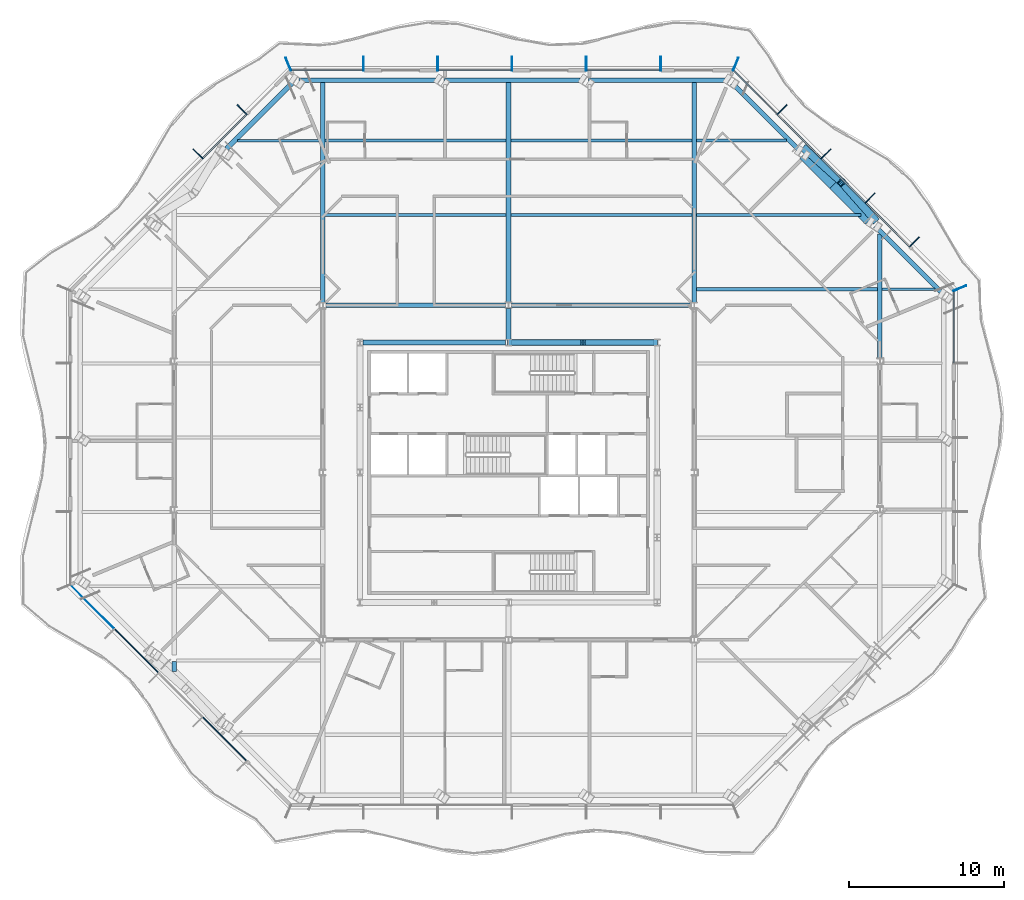
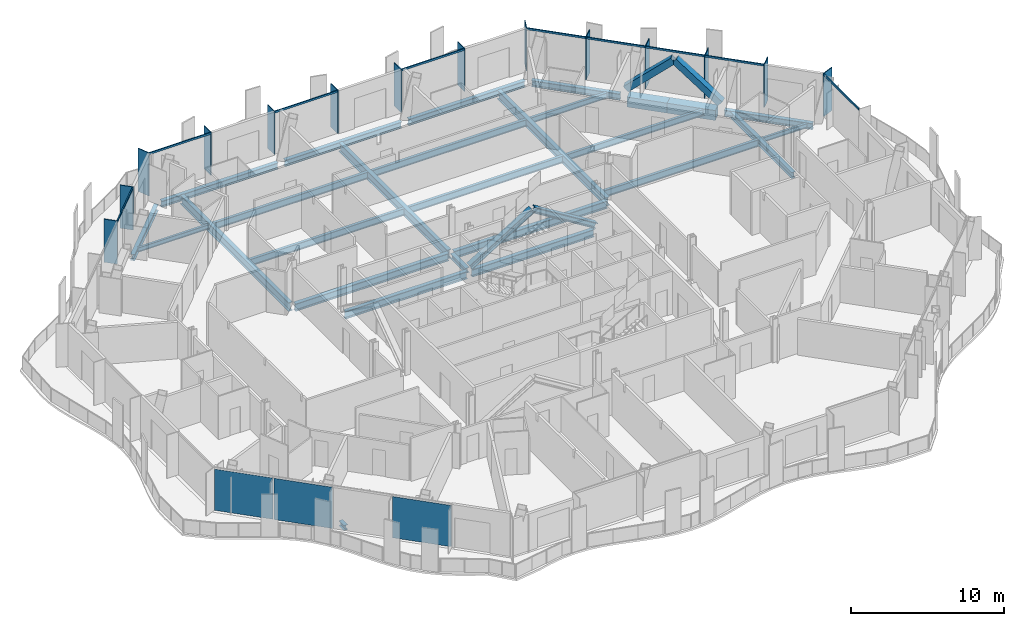
# One storey, part 5 of 22: 27 beams, 27 members, 3 plates, 5 elements without a shape of their own.
"""IFC4 building model written with IfcOpenShell, lengths in metres."""

from ifc_helpers import new_model, si_unit, direction, frame, origin, origin_2d, place, context, subcontext, project, spatial, rectangle, hollow_rectangle, i_section, extrude, material, layer, layer_set, material_profile, profile_set, type_object, element, aggregate, save


model = new_model("IFC4")

# Units and contexts
model_context = context("Model", 3, precision=1e-05, world=origin(), true_north=direction((0.0, 1.0)))
body_context = subcontext(model_context, "Body", "Model", "MODEL_VIEW")
ifc_project = project(units=[si_unit("LENGTHUNIT", "METRE"), si_unit("AREAUNIT", "SQUARE_METRE"), si_unit("VOLUMEUNIT", "CUBIC_METRE"), si_unit("PLANEANGLEUNIT", "RADIAN"), si_unit("MASSUNIT", "GRAM", prefix="KILO")], contexts=[model_context])

# Site, building, storey
site_placement = place(None, origin())
site = spatial("IfcSite", under=ifc_project, at=site_placement, CompositionType="ELEMENT")
building_placement = place(site_placement, origin())
building = spatial("IfcBuilding", under=site, at=building_placement, Name="Cairn Pilgrim Tower", CompositionType="ELEMENT")
storey_placement = place(building_placement, frame((0.0, 0.0, 175.800048828125)))
storey = spatial("IfcBuildingStorey", under=building, at=storey_placement, Name="L44", CompositionType="ELEMENT", Elevation=175.800048828125)

# Members
ifc_material_1 = material(Name="Structural steel S460M", Category="steel")
ifc_material_profile_1 = material_profile(ifc_material_1, hollow_rectangle(XDim=0.5, YDim=0.5, WallThickness=0.030029296875, at=origin_2d()), Name="BOX 500x500x30")
ifc_profile_set_1 = profile_set([ifc_material_profile_1], Name="Structural steel S460M")
member_type_1 = type_object("IfcMemberType", Name="BOX 500x500x30 BRACE", PredefinedType="BRACE", material=ifc_profile_set_1)
member_1_placement = place(storey_placement, frame((30.869873046875, 18.739990234375, 0.148681640625), z_axis=(-0.502668931325, 0.570149875271, 0.649810022398), x_axis=(-0.750101801739, -0.661322377535, 0.0)))
element("IfcMember", 1, at=member_1_placement, inside=storey, type_object=member_type_1, Name="XB-NE2-NE3-1", PredefinedType="BRACE", context=body_context, shape_type="SweptSolid", body=[
    extrude(hollow_rectangle(XDim=0.5, YDim=0.5, WallThickness=0.030029296875, at=origin_2d()), origin(), (0.0, 0.0, 1.0), 4.189453125),
])
member_2_placement = place(storey_placement, frame((26.341552734375, 23.305908203125, 0.14990234375), z_axis=(0.565178522574, -0.506586888657, 0.651109024559), x_axis=(0.667453787387, 0.744651221514, 0.0)))
element("IfcMember", 2, at=member_2_placement, inside=storey, type_object=member_type_1, Name="XB-NE2-NE3-2", PredefinedType="BRACE", context=body_context, shape_type="SweptSolid", body=[
    extrude(hollow_rectangle(XDim=0.5, YDim=0.5, WallThickness=0.030029296875, at=origin_2d()), origin(), (0.0, 0.0, 1.0), 4.17919921875),
])

# Beams
ifc_material_2 = material(Name="Structural steel S355J2", Category="steel")
ifc_material_profile_2 = material_profile(ifc_material_2, hollow_rectangle(XDim=0.699951171875, YDim=0.800048828125, WallThickness=0.0400390625, at=origin_2d()), Name="BOX 700x800x40")
ifc_profile_set_2 = profile_set([ifc_material_profile_2], Name="Structural steel S355J2")
beam_type_1 = type_object("IfcBeamType", Name="BOX 700x800x40 RING GIRDER", PredefinedType="SPANDREL", material=ifc_profile_set_2)
beam_1_placement = place(storey_placement, frame((30.509765625, 18.6923828125, -0.550048828125), z_axis=(-0.707069392857, 0.707144167539, 0.0), x_axis=(-0.707144167539, -0.707069392857, 0.0)))
element("IfcBeam", 3, at=beam_1_placement, inside=storey, type_object=beam_type_1, Name="RG2-NE2-NE3-1", PredefinedType="SPANDREL", context=body_context, shape_type="SweptSolid", body=[
    extrude(hollow_rectangle(XDim=0.699951171875, YDim=0.800048828125, WallThickness=0.0400390625, at=origin_2d()), origin(), (0.0, 0.0, 1.0), 3.26513671875),
])
beam_2_placement = place(storey_placement, frame((28.201171875, 21.001220703125, -0.550048828125), z_axis=(-0.707151417539, 0.707062142016, 0.0), x_axis=(-0.707062142016, -0.707151417539, 0.0)))
element("IfcBeam", 4, at=beam_2_placement, inside=storey, type_object=beam_type_1, Name="RG2-NE2-NE3-2", PredefinedType="SPANDREL", context=body_context, shape_type="SweptSolid", body=[
    extrude(hollow_rectangle(XDim=0.699951171875, YDim=0.800048828125, WallThickness=0.0400390625, at=origin_2d()), origin(), (0.0, 0.0, 1.0), 2.734619140625),
])

# Curtain wall, members
ifc_material_3 = material(Name="Aluminium alloy 6063-T6 bronze anodised with Bronze tinted laminated low-E glass 8+16+8.8", Category="aluminium")
curtain_wall_type_1 = type_object("IfcCurtainWallType", Name="CHAMFER CORNER CURTAIN WALL", PredefinedType="NOTDEFINED", material=ifc_material_3)
curtain_wall_1_placement = place(storey_placement, origin())
curtain_wall_1 = element("IfcCurtainWall", 5, at=curtain_wall_1_placement, inside=storey, type_object=curtain_wall_type_1, Name="Chamfer Corner Curtain Wall NE", PredefinedType="NOTDEFINED")
ifc_material_4 = material(Name="Aluminium alloy 6063-T6 bronze anodised", Category="aluminium")
ifc_material_profile_3 = material_profile(ifc_material_4, rectangle(XDim=0.89990234375, YDim=0.06005859375, at=origin_2d()), Name="FIN MULLION 60x900 BRONZE")
ifc_profile_set_3 = profile_set([ifc_material_profile_3], Name="Aluminium alloy 6063-T6 bronze anodised")
member_type_2 = type_object("IfcMemberType", Name="FIN MULLION 60x900 BRONZE", PredefinedType="MULLION", material=ifc_profile_set_3)
member_3_placement = place(storey_placement, frame((36.363037109375, 14.30712890625, 0.0), z_axis=(0.0, 0.0, 1.0), x_axis=(0.923879532511, 0.382683432365, 0.0)))
member_3 = element("IfcMember", 6, at=member_3_placement, type_object=member_type_2, Name="Fin mullion NE1", PredefinedType="MULLION", context=body_context, shape_type="SweptSolid", body=[
    extrude(rectangle(XDim=0.89990234375, YDim=0.06005859375, at=origin_2d()), origin(), (0.0, 0.0, 1.0), 3.449951171875),
])
member_4_placement = place(storey_placement, frame((33.42138671875, 17.294189453125, 0.0), z_axis=(0.0, 0.0, 1.0), x_axis=(0.707106781187, 0.707106781187, 0.0)))
member_4 = element("IfcMember", 7, at=member_4_placement, type_object=member_type_2, Name="Fin mullion NE2", PredefinedType="MULLION", context=body_context, shape_type="SweptSolid", body=[
    extrude(rectangle(XDim=0.89990234375, YDim=0.06005859375, at=origin_2d()), origin(), (0.0, 0.0, 1.0), 3.449951171875),
])
member_5_placement = place(storey_placement, frame((30.570556640625, 20.144775390625, 0.0), z_axis=(0.0, 0.0, 1.0), x_axis=(0.707106781187, 0.707106781187, 0.0)))
member_5 = element("IfcMember", 8, at=member_5_placement, type_object=member_type_2, Name="Fin mullion NE3", PredefinedType="MULLION", context=body_context, shape_type="SweptSolid", body=[
    extrude(rectangle(XDim=0.89990234375, YDim=0.06005859375, at=origin_2d()), origin(), (0.0, 0.0, 1.0), 3.449951171875),
])
member_6_placement = place(storey_placement, frame((27.719970703125, 22.99560546875, 0.0), z_axis=(0.0, 0.0, 1.0), x_axis=(0.707106781187, 0.707106781187, 0.0)))
member_6 = element("IfcMember", 9, at=member_6_placement, type_object=member_type_2, Name="Fin mullion NE4", PredefinedType="MULLION", context=body_context, shape_type="SweptSolid", body=[
    extrude(rectangle(XDim=0.89990234375, YDim=0.06005859375, at=origin_2d()), origin(), (0.0, 0.0, 1.0), 3.449951171875),
])
member_7_placement = place(storey_placement, frame((24.869140625, 25.84619140625, 0.0), z_axis=(0.0, 0.0, 1.0), x_axis=(0.707106781187, 0.707106781187, 0.0)))
member_7 = element("IfcMember", 10, at=member_7_placement, type_object=member_type_2, Name="Fin mullion NE5", PredefinedType="MULLION", context=body_context, shape_type="SweptSolid", body=[
    extrude(rectangle(XDim=0.89990234375, YDim=0.06005859375, at=origin_2d()), origin(), (0.0, 0.0, 1.0), 3.449951171875),
])

curtain_wall_type_2 = type_object("IfcCurtainWallType", Name="TOWER STICK CURTAIN WALL NS", PredefinedType="NOTDEFINED", material=ifc_material_3)
curtain_wall_2_placement = place(storey_placement, origin())
curtain_wall_2 = element("IfcCurtainWall", 11, at=curtain_wall_2_placement, inside=storey, type_object=curtain_wall_type_2, Name="Tower Stick Curtain Wall Ns N", PredefinedType="NOTDEFINED")
member_8_placement = place(storey_placement, frame((21.882080078125, 28.7880859375, 0.0), z_axis=(0.0, 0.0, 1.0), x_axis=(0.382683432365, 0.923879532511, 0.0)))
member_8 = element("IfcMember", 12, at=member_8_placement, type_object=member_type_2, Name="Fin mullion N1", PredefinedType="MULLION", context=body_context, shape_type="SweptSolid", body=[
    extrude(rectangle(XDim=0.89990234375, YDim=0.06005859375, at=origin_2d()), origin(), (0.0, 0.0, 1.0), 3.449951171875),
])
member_9_placement = place(storey_placement, frame((17.02490234375, 28.820068359375, 0.0), z_axis=(0.0, 0.0, 1.0), x_axis=(0.0, 1.0, 0.0)))
member_9 = element("IfcMember", 13, at=member_9_placement, type_object=member_type_2, Name="Fin mullion N2", PredefinedType="MULLION", context=body_context, shape_type="SweptSolid", body=[
    extrude(rectangle(XDim=0.89990234375, YDim=0.06005859375, at=origin_2d()), origin(), (0.0, 0.0, 1.0), 3.449951171875),
])
member_10_placement = place(storey_placement, frame((12.22509765625, 28.820068359375, 0.0), z_axis=(0.0, 0.0, 1.0), x_axis=(0.0, 1.0, 0.0)))
member_10 = element("IfcMember", 14, at=member_10_placement, type_object=member_type_2, Name="Fin mullion N3", PredefinedType="MULLION", context=body_context, shape_type="SweptSolid", body=[
    extrude(rectangle(XDim=0.89990234375, YDim=0.06005859375, at=origin_2d()), origin(), (0.0, 0.0, 1.0), 3.449951171875),
])
member_11_placement = place(storey_placement, frame((7.425048828125, 28.820068359375, 0.0), z_axis=(0.0, 0.0, 1.0), x_axis=(0.0, 1.0, 0.0)))
member_11 = element("IfcMember", 15, at=member_11_placement, type_object=member_type_2, Name="Fin mullion N4", PredefinedType="MULLION", context=body_context, shape_type="SweptSolid", body=[
    extrude(rectangle(XDim=0.89990234375, YDim=0.06005859375, at=origin_2d()), origin(), (0.0, 0.0, 1.0), 3.449951171875),
])
member_12_placement = place(storey_placement, frame((2.625, 28.820068359375, 0.0), z_axis=(0.0, 0.0, 1.0), x_axis=(0.0, 1.0, 0.0)))
member_12 = element("IfcMember", 16, at=member_12_placement, type_object=member_type_2, Name="Fin mullion N5", PredefinedType="MULLION", context=body_context, shape_type="SweptSolid", body=[
    extrude(rectangle(XDim=0.89990234375, YDim=0.06005859375, at=origin_2d()), origin(), (0.0, 0.0, 1.0), 3.449951171875),
])
member_13_placement = place(storey_placement, frame((-2.175048828125, 28.820068359375, 0.0), z_axis=(0.0, 0.0, 1.0), x_axis=(0.0, 1.0, 0.0)))
member_13 = element("IfcMember", 17, at=member_13_placement, type_object=member_type_2, Name="Fin mullion N6", PredefinedType="MULLION", context=body_context, shape_type="SweptSolid", body=[
    extrude(rectangle(XDim=0.89990234375, YDim=0.06005859375, at=origin_2d()), origin(), (0.0, 0.0, 1.0), 3.449951171875),
])

curtain_wall_3_placement = place(storey_placement, origin())
curtain_wall_3 = element("IfcCurtainWall", 18, at=curtain_wall_3_placement, inside=storey, type_object=curtain_wall_type_1, Name="Chamfer Corner Curtain Wall NW", PredefinedType="NOTDEFINED")
member_14_placement = place(storey_placement, frame((-7.0322265625, 28.7880859375, 0.0), z_axis=(0.0, 0.0, 1.0), x_axis=(-0.382683432365, 0.923879532511, 0.0)))
member_14 = element("IfcMember", 19, at=member_14_placement, type_object=member_type_2, Name="Fin mullion NW1", PredefinedType="MULLION", context=body_context, shape_type="SweptSolid", body=[
    extrude(rectangle(XDim=0.89990234375, YDim=0.06005859375, at=origin_2d()), origin(), (0.0, 0.0, 1.0), 3.449951171875),
])
member_15_placement = place(storey_placement, frame((-10.01904296875, 25.84619140625, 0.0), z_axis=(0.0, 0.0, 1.0), x_axis=(-0.707106781187, 0.707106781187, 0.0)))
member_15 = element("IfcMember", 20, at=member_15_placement, type_object=member_type_2, Name="Fin mullion NW2", PredefinedType="MULLION", context=body_context, shape_type="SweptSolid", body=[
    extrude(rectangle(XDim=0.89990234375, YDim=0.06005859375, at=origin_2d()), origin(), (0.0, 0.0, 1.0), 3.449951171875),
])
member_16_placement = place(storey_placement, frame((-12.869873046875, 22.99560546875, 0.0), z_axis=(0.0, 0.0, 1.0), x_axis=(-0.707106781187, 0.707106781187, 0.0)))
member_16 = element("IfcMember", 21, at=member_16_placement, type_object=member_type_2, Name="Fin mullion NW3", PredefinedType="MULLION", context=body_context, shape_type="SweptSolid", body=[
    extrude(rectangle(XDim=0.89990234375, YDim=0.06005859375, at=origin_2d()), origin(), (0.0, 0.0, 1.0), 3.449951171875),
])

# Members
ifc_material_profile_4 = material_profile(ifc_material_1, i_section(OverallWidth=0.408935546875, OverallDepth=0.425048828125, WebThickness=0.03271484375, FlangeThickness=0.052490234375, FilletRadius=0.014892578125, at=origin_2d()), Name="HD 400x421")
ifc_profile_set_4 = profile_set([ifc_material_profile_4], Name="Structural steel S460M")
member_type_3 = type_object("IfcMemberType", Name="HD 400x421 BRACE", PredefinedType="BRACE", material=ifc_profile_set_4)
for number, where, z_axis, x_axis, name in (
    (22, (16.75830078125, 10.800048828125, 0.099853515625), (-0.851099832195, 0.0, 0.525003881545), (0.0, -1.0, 0.0), "KB-3A"),
    (23, (7.24169921875, 10.800048828125, 0.099853515625), (0.851099832195, 0.0, 0.525003881545), (0.0, 1.0, 0.0), "KB-3B"),
):
    element("IfcMember", number, at=place(storey_placement, frame(where, z_axis=z_axis, x_axis=x_axis)), inside=storey, type_object=member_type_3, Name=name, PredefinedType="BRACE", context=body_context, shape_type="SweptSolid", body=[
        extrude(i_section(OverallWidth=0.408935546875, OverallDepth=0.425048828125, WebThickness=0.03271484375, FlangeThickness=0.052490234375, FilletRadius=0.014892578125, at=origin_2d()), origin(), (0.0, 0.0, 1.0), 5.5283203125),
    ])

# Beams
ifc_material_profile_5 = material_profile(ifc_material_2, i_section(OverallWidth=0.300048828125, OverallDepth=0.39990234375, WebThickness=0.013427734375, FlangeThickness=0.02392578125, FilletRadius=0.027099609375, at=origin_2d()), Name="HEB 400")
ifc_profile_set_5 = profile_set([ifc_material_profile_5], Name="Structural steel S355J2")
beam_type_2 = type_object("IfcBeamType", Name="HEB 400 GIRDER", PredefinedType="BEAM", material=ifc_profile_set_5)
beam_3_placement = place(storey_placement, frame((-14.39990234375, -10.47021484375, -0.35009765625), z_axis=(0.0, 1.0, 0.0), x_axis=(-1.0, 0.0, 0.0)))
element("IfcBeam", 24, at=beam_3_placement, inside=storey, type_object=beam_type_2, Name="PG1-E1", PredefinedType="BEAM", context=body_context, shape_type="SweptSolid", body=[
    extrude(i_section(OverallWidth=0.300048828125, OverallDepth=0.39990234375, WebThickness=0.013427734375, FlangeThickness=0.02392578125, FilletRadius=0.027099609375, at=origin_2d()), origin(), (0.0, 0.0, 1.0), 0.670654296875),
])
beam_4_placement = place(storey_placement, frame((7.199951171875, 11.008056640625, -0.35009765625), z_axis=(0.0, 1.0, 0.0), x_axis=(-1.0, 0.0, 0.0)))
element("IfcBeam", 25, at=beam_4_placement, inside=storey, type_object=beam_type_2, Name="PG3-E2", PredefinedType="BEAM", context=body_context, shape_type="SweptSolid", body=[
    extrude(i_section(OverallWidth=0.300048828125, OverallDepth=0.39990234375, WebThickness=0.013427734375, FlangeThickness=0.02392578125, FilletRadius=0.027099609375, at=origin_2d()), origin(), (0.0, 0.0, 1.0), 1.992431640625),
])
ifc_material_profile_6 = material_profile(ifc_material_2, i_section(OverallWidth=0.300048828125, OverallDepth=0.5, WebThickness=0.014404296875, FlangeThickness=0.028076171875, FilletRadius=0.027099609375, at=origin_2d()), Name="HEB 500")
ifc_profile_set_6 = profile_set([ifc_material_profile_6], Name="Structural steel S355J2")
beam_type_3 = type_object("IfcBeamType", Name="HEB 500 GIRDER", PredefinedType="BEAM", material=ifc_profile_set_6)
beam_5_placement = place(storey_placement, frame((31.199951171875, 9.804443359375, -0.400146484375), z_axis=(0.0, 1.0, 0.0), x_axis=(-1.0, 0.0, 0.0)))
element("IfcBeam", 26, at=beam_5_placement, inside=storey, type_object=beam_type_3, Name="PG5-3", PredefinedType="BEAM", context=body_context, shape_type="SweptSolid", body=[
    extrude(i_section(OverallWidth=0.300048828125, OverallDepth=0.5, WebThickness=0.014404296875, FlangeThickness=0.028076171875, FilletRadius=0.027099609375, at=origin_2d()), origin(), (0.0, 0.0, 1.0), 8.015625),
])
ifc_material_profile_7 = material_profile(ifc_material_2, i_section(OverallWidth=0.300048828125, OverallDepth=0.5, WebThickness=0.014404296875, FlangeThickness=0.028076171875, FilletRadius=0.027099609375, at=origin_2d()), Name="HEB 500")
ifc_profile_set_7 = profile_set([ifc_material_profile_7], Name="Structural steel S355J2")
beam_type_4 = type_object("IfcBeamType", Name="HEB 500 RING GIRDER", PredefinedType="SPANDREL", material=ifc_profile_set_7)
for number, where, z_axis, x_axis, name in (
    (27, (35.134033203125, 14.068115234375, -0.400146484375), (-0.707106781187, 0.707106781187, 0.0), (-0.707106781187, -0.707106781187, 0.0), "RG2-NE1-NE2"),
    (28, (25.885498046875, 23.316650390625, -0.400146484375), (-0.707106781187, 0.707106781187, 0.0), (-0.707106781187, -0.707106781187, 0.0), "RG2-NE3-N1"),
):
    element("IfcBeam", number, at=place(storey_placement, frame(where, z_axis=z_axis, x_axis=x_axis)), inside=storey, type_object=beam_type_4, Name=name, PredefinedType="SPANDREL", context=body_context, shape_type="SweptSolid", body=[
        extrude(i_section(OverallWidth=0.300048828125, OverallDepth=0.5, WebThickness=0.014404296875, FlangeThickness=0.028076171875, FilletRadius=0.027099609375, at=origin_2d()), origin(), (0.0, 0.0, 1.0), 5.999755859375),
    ])
for number, where, z_axis, x_axis, name in (
    (29, (21.18212890625, 27.75, -0.400146484375), (-1.0, 0.0, 0.0), (0.0, -1.0, 0.0), "RG2-N1-N2"),
    (30, (11.830810546875, 27.75, -0.400146484375), (-1.0, 0.0, 0.0), (0.0, -1.0, 0.0), "RG2-N2-N3"),
    (31, (2.479248046875, 27.75, -0.400146484375), (-1.0, 0.0, 0.0), (0.0, -1.0, 0.0), "RG2-N3-NW1"),
):
    element("IfcBeam", number, at=place(storey_placement, frame(where, z_axis=z_axis, x_axis=x_axis)), inside=storey, type_object=beam_type_4, Name=name, PredefinedType="SPANDREL", context=body_context, shape_type="SweptSolid", body=[
        extrude(i_section(OverallWidth=0.300048828125, OverallDepth=0.5, WebThickness=0.014404296875, FlangeThickness=0.028076171875, FilletRadius=0.027099609375, at=origin_2d()), origin(), (0.0, 0.0, 1.0), 8.8115234375),
    ])
beam_6_placement = place(storey_placement, frame((-6.793212890625, 27.55908203125, -0.400146484375), z_axis=(-0.707106781187, -0.707106781187, 0.0), x_axis=(0.707106781187, -0.707106781187, 0.0)))
element("IfcBeam", 32, at=beam_6_placement, inside=storey, type_object=beam_type_4, Name="RG2-NW1-NW2", PredefinedType="SPANDREL", context=body_context, shape_type="SweptSolid", body=[
    extrude(i_section(OverallWidth=0.300048828125, OverallDepth=0.5, WebThickness=0.014404296875, FlangeThickness=0.028076171875, FilletRadius=0.027099609375, at=origin_2d()), origin(), (0.0, 0.0, 1.0), 5.999755859375),
])
ifc_material_profile_8 = material_profile(ifc_material_2, i_section(OverallWidth=0.300048828125, OverallDepth=0.60009765625, WebThickness=0.015380859375, FlangeThickness=0.030029296875, FilletRadius=0.027099609375, at=origin_2d()), Name="HEB 600")
ifc_profile_set_8 = profile_set([ifc_material_profile_8], Name="Structural steel S355J2")
beam_type_5 = type_object("IfcBeamType", Name="HEB 600 CORE BEAM", PredefinedType="BEAM", material=ifc_profile_set_8)
for number, where, z_axis, x_axis, name in (
    (33, (16.61279296875, 10.800048828125, -0.449951171875), (-1.0, 0.0, 0.0), (0.0, -1.0, 0.0), "CB-5"),
    (34, (7.0126953125, 10.800048828125, -0.449951171875), (-1.0, 0.0, 0.0), (0.0, -1.0, 0.0), "CB-6"),
):
    element("IfcBeam", number, at=place(storey_placement, frame(where, z_axis=z_axis, x_axis=x_axis)), inside=storey, type_object=beam_type_5, Name=name, PredefinedType="BEAM", context=body_context, shape_type="SweptSolid", body=[
        extrude(i_section(OverallWidth=0.300048828125, OverallDepth=0.60009765625, WebThickness=0.015380859375, FlangeThickness=0.030029296875, FilletRadius=0.027099609375, at=origin_2d()), origin(), (0.0, 0.0, 1.0), 9.2255859375),
    ])
ifc_material_profile_9 = material_profile(ifc_material_2, i_section(OverallWidth=0.300048828125, OverallDepth=0.60009765625, WebThickness=0.015380859375, FlangeThickness=0.030029296875, FilletRadius=0.027099609375, at=origin_2d()), Name="HEB 600")
ifc_profile_set_9 = profile_set([ifc_material_profile_9], Name="Structural steel S355J2")
beam_type_6 = type_object("IfcBeamType", Name="HEB 600 INNER GIRDER", PredefinedType="BEAM", material=ifc_profile_set_9)
for number, where, z_axis, x_axis, name in (
    (35, (-4.6005859375, 13.199951171875, -0.449951171875), (1.0, 0.0, 0.0), (0.0, 1.0, 0.0), "IG2-1"),
    (36, (7.3994140625, 13.199951171875, -0.449951171875), (1.0, 0.0, 0.0), (0.0, 1.0, 0.0), "IG2-2"),
):
    element("IfcBeam", number, at=place(storey_placement, frame(where, z_axis=z_axis, x_axis=x_axis)), inside=storey, type_object=beam_type_6, Name=name, PredefinedType="BEAM", context=body_context, shape_type="SweptSolid", body=[
        extrude(i_section(OverallWidth=0.300048828125, OverallDepth=0.60009765625, WebThickness=0.015380859375, FlangeThickness=0.030029296875, FilletRadius=0.027099609375, at=origin_2d()), origin(), (0.0, 0.0, 1.0), 11.60107421875),
    ])
ifc_material_profile_10 = material_profile(ifc_material_2, i_section(OverallWidth=0.300048828125, OverallDepth=0.699951171875, WebThickness=0.01708984375, FlangeThickness=0.031982421875, FilletRadius=0.027099609375, at=origin_2d()), Name="HEB 700")
ifc_profile_set_10 = profile_set([ifc_material_profile_10], Name="Structural steel S355J2")
beam_type_7 = type_object("IfcBeamType", Name="HEB 700 GIRDER", PredefinedType="BEAM", material=ifc_profile_set_10)
for number, where, z_axis, x_axis, name in (
    (37, (-4.800048828125, 13.3994140625, -0.5), (0.0, 1.0, 0.0), (-1.0, 0.0, 0.0), "PG2-4"),
    (38, (7.199951171875, 13.3994140625, -0.5), (0.0, 1.0, 0.0), (-1.0, 0.0, 0.0), "PG3-2"),
    (39, (19.199951171875, 13.3994140625, -0.5), (0.0, 1.0, 0.0), (-1.0, 0.0, 0.0), "PG4-4"),
):
    element("IfcBeam", number, at=place(storey_placement, frame(where, z_axis=z_axis, x_axis=x_axis)), inside=storey, type_object=beam_type_7, Name=name, PredefinedType="BEAM", context=body_context, shape_type="SweptSolid", body=[
        extrude(i_section(OverallWidth=0.300048828125, OverallDepth=0.699951171875, WebThickness=0.01708984375, FlangeThickness=0.031982421875, FilletRadius=0.027099609375, at=origin_2d()), origin(), (0.0, 0.0, 1.0), 14.23046875),
    ])
ifc_material_profile_11 = material_profile(ifc_material_2, i_section(OverallWidth=0.169921875, OverallDepth=0.360107421875, WebThickness=0.008056640625, FlangeThickness=0.0126953125, FilletRadius=0.01806640625, at=origin_2d()), Name="IPE 360")
ifc_profile_set_11 = profile_set([ifc_material_profile_11], Name="Structural steel S355J2")
beam_type_8 = type_object("IfcBeamType", Name="IPE 360 SECONDARY BEAM", PredefinedType="JOIST", material=ifc_profile_set_11)
beam_7_placement = place(storey_placement, frame((31.35009765625, 14.25, -0.330078125), z_axis=(1.0, 0.0, 0.0), x_axis=(0.0, 1.0, 0.0)))
element("IfcBeam", 40, at=beam_7_placement, inside=storey, type_object=beam_type_8, Name="SB7-4", PredefinedType="JOIST", context=body_context, shape_type="SweptSolid", body=[
    extrude(i_section(OverallWidth=0.169921875, OverallDepth=0.360107421875, WebThickness=0.008056640625, FlangeThickness=0.0126953125, FilletRadius=0.01806640625, at=origin_2d()), origin(), (0.0, 0.0, 1.0), 3.419921875),
])
beam_8_placement = place(storey_placement, frame((-10.320068359375, 23.85009765625, -0.330078125), z_axis=(1.0, 0.0, 0.0), x_axis=(0.0, 1.0, 0.0)))
element("IfcBeam", 41, at=beam_8_placement, inside=storey, type_object=beam_type_8, Name="SB9-1", PredefinedType="JOIST", context=body_context, shape_type="SweptSolid", body=[
    extrude(i_section(OverallWidth=0.169921875, OverallDepth=0.360107421875, WebThickness=0.008056640625, FlangeThickness=0.0126953125, FilletRadius=0.01806640625, at=origin_2d()), origin(), (0.0, 0.0, 1.0), 5.3701171875),
])
ifc_material_profile_12 = material_profile(ifc_material_2, i_section(OverallWidth=0.18994140625, OverallDepth=0.449951171875, WebThickness=0.009521484375, FlangeThickness=0.0146484375, FilletRadius=0.02099609375, at=origin_2d()), Name="IPE 450")
ifc_profile_set_12 = profile_set([ifc_material_profile_12], Name="Structural steel S355J2")
beam_type_9 = type_object("IfcBeamType", Name="IPE 450 SECONDARY BEAM", PredefinedType="JOIST", material=ifc_profile_set_12)
beam_9_placement = place(storey_placement, frame((19.35009765625, 23.85009765625, -0.375), z_axis=(1.0, 0.0, 0.0), x_axis=(0.0, 1.0, 0.0)))
element("IfcBeam", 42, at=beam_9_placement, inside=storey, type_object=beam_type_9, Name="SB9-4", PredefinedType="JOIST", context=body_context, shape_type="SweptSolid", body=[
    extrude(i_section(OverallWidth=0.18994140625, OverallDepth=0.449951171875, WebThickness=0.009521484375, FlangeThickness=0.0146484375, FilletRadius=0.02099609375, at=origin_2d()), origin(), (0.0, 0.0, 1.0), 5.820068359375),
])
ifc_material_profile_13 = material_profile(ifc_material_2, i_section(OverallWidth=0.199951171875, OverallDepth=0.5, WebThickness=0.01025390625, FlangeThickness=0.01611328125, FilletRadius=0.02099609375, at=origin_2d()), Name="IPE 500")
ifc_profile_set_13 = profile_set([ifc_material_profile_13], Name="Structural steel S355J2")
beam_type_10 = type_object("IfcBeamType", Name="IPE 500 SECONDARY BEAM", PredefinedType="JOIST", material=ifc_profile_set_13)
beam_10_placement = place(storey_placement, frame((19.35009765625, 19.050048828125, -0.400146484375), z_axis=(1.0, 0.0, 0.0), x_axis=(0.0, 1.0, 0.0)))
element("IfcBeam", 43, at=beam_10_placement, inside=storey, type_object=beam_type_10, Name="SB8-4", PredefinedType="JOIST", context=body_context, shape_type="SweptSolid", body=[
    extrude(i_section(OverallWidth=0.199951171875, OverallDepth=0.5, WebThickness=0.01025390625, FlangeThickness=0.01611328125, FilletRadius=0.02099609375, at=origin_2d()), origin(), (0.0, 0.0, 1.0), 10.6201171875),
])
ifc_material_profile_14 = material_profile(ifc_material_2, i_section(OverallWidth=0.2099609375, OverallDepth=0.550048828125, WebThickness=0.010986328125, FlangeThickness=0.01708984375, FilletRadius=0.02392578125, at=origin_2d()), Name="IPE 550")
ifc_profile_set_14 = profile_set([ifc_material_profile_14], Name="Structural steel S355J2")
beam_type_11 = type_object("IfcBeamType", Name="IPE 550 SECONDARY BEAM", PredefinedType="JOIST", material=ifc_profile_set_14)
for number, where, z_axis, x_axis, name in (
    (44, (19.35009765625, 14.25, -0.425048828125), (1.0, 0.0, 0.0), (0.0, 1.0, 0.0), "SB7-3"),
    (45, (-4.64990234375, 19.050048828125, -0.425048828125), (1.0, 0.0, 0.0), (0.0, 1.0, 0.0), "SB8-2"),
    (46, (7.35009765625, 19.050048828125, -0.425048828125), (1.0, 0.0, 0.0), (0.0, 1.0, 0.0), "SB8-3"),
    (47, (-4.64990234375, 23.85009765625, -0.425048828125), (1.0, 0.0, 0.0), (0.0, 1.0, 0.0), "SB9-2"),
    (48, (7.35009765625, 23.85009765625, -0.425048828125), (1.0, 0.0, 0.0), (0.0, 1.0, 0.0), "SB9-3"),
):
    element("IfcBeam", number, at=place(storey_placement, frame(where, z_axis=z_axis, x_axis=x_axis)), inside=storey, type_object=beam_type_11, Name=name, PredefinedType="JOIST", context=body_context, shape_type="SweptSolid", body=[
        extrude(i_section(OverallWidth=0.2099609375, OverallDepth=0.550048828125, WebThickness=0.010986328125, FlangeThickness=0.01708984375, FilletRadius=0.02392578125, at=origin_2d()), origin(), (0.0, 0.0, 1.0), 11.699951171875),
    ])

# Curtain wall, member
curtain_wall_type_3 = type_object("IfcCurtainWallType", Name="TOWER STICK CURTAIN WALL EW", PredefinedType="NOTDEFINED", material=ifc_material_3)
curtain_wall_4_placement = place(storey_placement, origin())
curtain_wall_4 = element("IfcCurtainWall", 49, at=curtain_wall_4_placement, inside=storey, type_object=curtain_wall_type_3, Name="Tower Stick Curtain Wall Ew E", PredefinedType="NOTDEFINED")
ifc_material_profile_15 = material_profile(ifc_material_4, rectangle(XDim=0.080078125, YDim=0.14990234375, at=origin_2d()), Name="TRANSOM 80x150 BRONZE")
ifc_profile_set_15 = profile_set([ifc_material_profile_15], Name="Aluminium alloy 6063-T6 bronze anodised")
member_type_4 = type_object("IfcMemberType", Name="TRANSOM 80x150 BRONZE", PredefinedType="USERDEFINED", material=ifc_profile_set_15)
member_17_placement = place(storey_placement, frame((35.97509765625, 9.47998046875, 3.375), z_axis=(0.0, 1.0, 0.0), x_axis=(-1.0, 0.0, 0.0)))
member_17 = element("IfcMember", 50, at=member_17_placement, type_object=member_type_4, Name="Transom E4", ObjectType="TRANSOM", PredefinedType="USERDEFINED", context=body_context, shape_type="SweptSolid", body=[
    extrude(rectangle(XDim=0.080078125, YDim=0.14990234375, at=origin_2d()), origin(), (0.0, 0.0, 1.0), 4.62646484375),
])
aggregate(curtain_wall_4, [member_17])

# Member
member_18_placement = place(storey_placement, frame((33.10302734375, 17.018310546875, 3.375), z_axis=(-0.707106781187, 0.707106781187, 0.0), x_axis=(-0.707106781187, -0.707106781187, 0.0)))
member_18 = element("IfcMember", 51, at=member_18_placement, type_object=member_type_4, Name="Transom NE2", ObjectType="TRANSOM", PredefinedType="USERDEFINED", context=body_context, shape_type="SweptSolid", body=[
    extrude(rectangle(XDim=0.080078125, YDim=0.14990234375, at=origin_2d()), origin(), (0.0, 0.0, 1.0), 3.9716796875),
])

member_19_placement = place(storey_placement, frame((30.25244140625, 19.869140625, 3.375), z_axis=(-0.70713751761, 0.707076043427, 0.0), x_axis=(-0.707076043427, -0.70713751761, 0.0)))
member_19 = element("IfcMember", 52, at=member_19_placement, type_object=member_type_4, Name="Transom NE3", ObjectType="TRANSOM", PredefinedType="USERDEFINED", context=body_context, shape_type="SweptSolid", body=[
    extrude(rectangle(XDim=0.080078125, YDim=0.14990234375, at=origin_2d()), origin(), (0.0, 0.0, 1.0), 3.971435546875),
])

member_20_placement = place(storey_placement, frame((27.401611328125, 22.7197265625, 3.375), z_axis=(-0.707106781187, 0.707106781187, 0.0), x_axis=(-0.707106781187, -0.707106781187, 0.0)))
member_20 = element("IfcMember", 53, at=member_20_placement, type_object=member_type_4, Name="Transom NE4", ObjectType="TRANSOM", PredefinedType="USERDEFINED", context=body_context, shape_type="SweptSolid", body=[
    extrude(rectangle(XDim=0.080078125, YDim=0.14990234375, at=origin_2d()), origin(), (0.0, 0.0, 1.0), 3.9716796875),
])

member_21_placement = place(storey_placement, frame((24.551025390625, 25.570556640625, 3.375), z_axis=(-0.707106781187, 0.707106781187, 0.0), x_axis=(-0.707106781187, -0.707106781187, 0.0)))
member_21 = element("IfcMember", 54, at=member_21_placement, type_object=member_type_4, Name="Transom NE5", ObjectType="TRANSOM", PredefinedType="USERDEFINED", context=body_context, shape_type="SweptSolid", body=[
    extrude(rectangle(XDim=0.080078125, YDim=0.14990234375, at=origin_2d()), origin(), (0.0, 0.0, 1.0), 3.961669921875),
])

aggregate(curtain_wall_1, [member_3, member_4, member_5, member_6, member_7, member_18, member_19, member_20, member_21])

member_22_placement = place(storey_placement, frame((16.9951171875, 28.39990234375, 3.375), z_axis=(-1.0, 0.0, 0.0), x_axis=(0.0, -1.0, 0.0)))
member_22 = element("IfcMember", 55, at=member_22_placement, type_object=member_type_4, Name="Transom N2", ObjectType="TRANSOM", PredefinedType="USERDEFINED", context=body_context, shape_type="SweptSolid", body=[
    extrude(rectangle(XDim=0.080078125, YDim=0.14990234375, at=origin_2d()), origin(), (0.0, 0.0, 1.0), 4.740234375),
])

member_23_placement = place(storey_placement, frame((7.39501953125, 28.39990234375, 3.375), z_axis=(-1.0, 0.0, 0.0), x_axis=(0.0, -1.0, 0.0)))
member_23 = element("IfcMember", 56, at=member_23_placement, type_object=member_type_4, Name="Transom N4", ObjectType="TRANSOM", PredefinedType="USERDEFINED", context=body_context, shape_type="SweptSolid", body=[
    extrude(rectangle(XDim=0.080078125, YDim=0.14990234375, at=origin_2d()), origin(), (0.0, 0.0, 1.0), 4.739990234375),
])

member_24_placement = place(storey_placement, frame((-2.205078125, 28.39990234375, 3.375), z_axis=(-1.0, 0.0, 0.0), x_axis=(0.0, -1.0, 0.0)))
member_24 = element("IfcMember", 57, at=member_24_placement, type_object=member_type_4, Name="Transom N6", ObjectType="TRANSOM", PredefinedType="USERDEFINED", context=body_context, shape_type="SweptSolid", body=[
    extrude(rectangle(XDim=0.080078125, YDim=0.14990234375, at=origin_2d()), origin(), (0.0, 0.0, 1.0), 4.62646484375),
])

aggregate(curtain_wall_2, [member_8, member_9, member_10, member_11, member_12, member_13, member_22, member_23, member_24])

member_25_placement = place(storey_placement, frame((-9.743408203125, 25.528076171875, 3.375), z_axis=(-0.707106781187, -0.707106781187, 0.0), x_axis=(0.707106781187, -0.707106781187, 0.0)))
member_25 = element("IfcMember", 58, at=member_25_placement, type_object=member_type_4, Name="Transom NW2", ObjectType="TRANSOM", PredefinedType="USERDEFINED", context=body_context, shape_type="SweptSolid", body=[
    extrude(rectangle(XDim=0.080078125, YDim=0.14990234375, at=origin_2d()), origin(), (0.0, 0.0, 1.0), 3.9716796875),
])

aggregate(curtain_wall_3, [member_14, member_15, member_16, member_25])

# Curtain wall, plates
curtain_wall_5_placement = place(storey_placement, origin())
curtain_wall_5 = element("IfcCurtainWall", 59, at=curtain_wall_5_placement, inside=storey, type_object=curtain_wall_type_1, Name="Chamfer Corner Curtain Wall SW", PredefinedType="NOTDEFINED")
ifc_material_5 = material(Name="Bronze anodised aluminium spandrel panel with mineral wool insulation", Category="aluminium")
ifc_layer_1 = layer(ifc_material_5, 0.06005859375)
ifc_layer_set_1 = layer_set([ifc_layer_1], Name="SPANDREL PANEL 3972x3300")
plate_type_1 = type_object("IfcPlateType", Name="SPANDREL PANEL 3972x3300", PredefinedType="CURTAIN_PANEL", material=ifc_layer_set_1)
plate_1_placement = place(storey_placement, frame((-16.848876953125, -9.12255859375, 0.0), z_axis=(0.0, 0.0, 1.0), x_axis=(0.707106781187, -0.707106781187, 0.0)))
plate_1 = element("IfcPlate", 60, at=plate_1_placement, type_object=plate_type_1, Name="Spandrel Panel SW2-1", PredefinedType="CURTAIN_PANEL", context=body_context, shape_type="SweptSolid", body=[
    extrude(rectangle(XDim=3.971435546875, YDim=0.06005859375, at=origin_2d()), origin(), (0.0, 0.0, 1.0), 3.300048828125),
])
plate_2_placement = place(storey_placement, frame((-11.1474609375, -14.823974609375, 0.0), z_axis=(0.0, 0.0, 1.0), x_axis=(0.707106781187, -0.707106781187, 0.0)))
plate_2 = element("IfcPlate", 61, at=plate_2_placement, type_object=plate_type_1, Name="Spandrel Panel SW4-1", PredefinedType="CURTAIN_PANEL", context=body_context, shape_type="SweptSolid", body=[
    extrude(rectangle(XDim=3.971435546875, YDim=0.06005859375, at=origin_2d()), origin(), (0.0, 0.0, 1.0), 3.300048828125),
])
ifc_material_6 = material(Name="Bronze tinted laminated low-E glass 8+16+8.8", Category="glass")
ifc_layer_2 = layer(ifc_material_6, 0.033935546875)
ifc_layer_set_2 = layer_set([ifc_layer_2], Name="VISION GLAZING 3962x3300")
plate_type_2 = type_object("IfcPlateType", Name="VISION GLAZING 3962x3300", PredefinedType="CURTAIN_PANEL", material=ifc_layer_set_2)
plate_3_placement = place(storey_placement, frame((-19.696044921875, -6.275390625, 0.0), z_axis=(0.0, 0.0, 1.0), x_axis=(0.707106781187, -0.707106781187, 0.0)))
plate_3 = element("IfcPlate", 62, at=plate_3_placement, type_object=plate_type_2, Name="Vision Glazing SW1-1", PredefinedType="CURTAIN_PANEL", context=body_context, shape_type="SweptSolid", body=[
    extrude(rectangle(XDim=3.96142578125, YDim=0.033935546875, at=origin_2d()), origin(), (0.0, 0.0, 1.0), 3.300048828125),
])
aggregate(curtain_wall_5, [plate_3, plate_1, plate_2])

save(model, "model.ifc")
